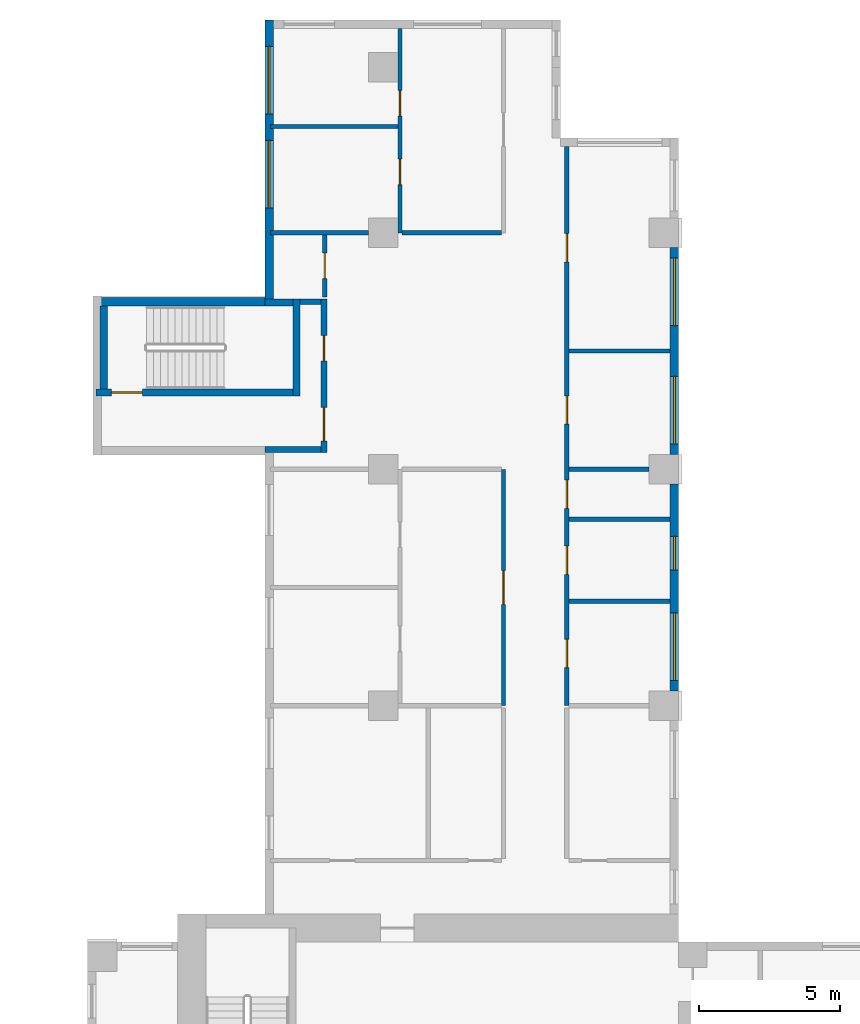
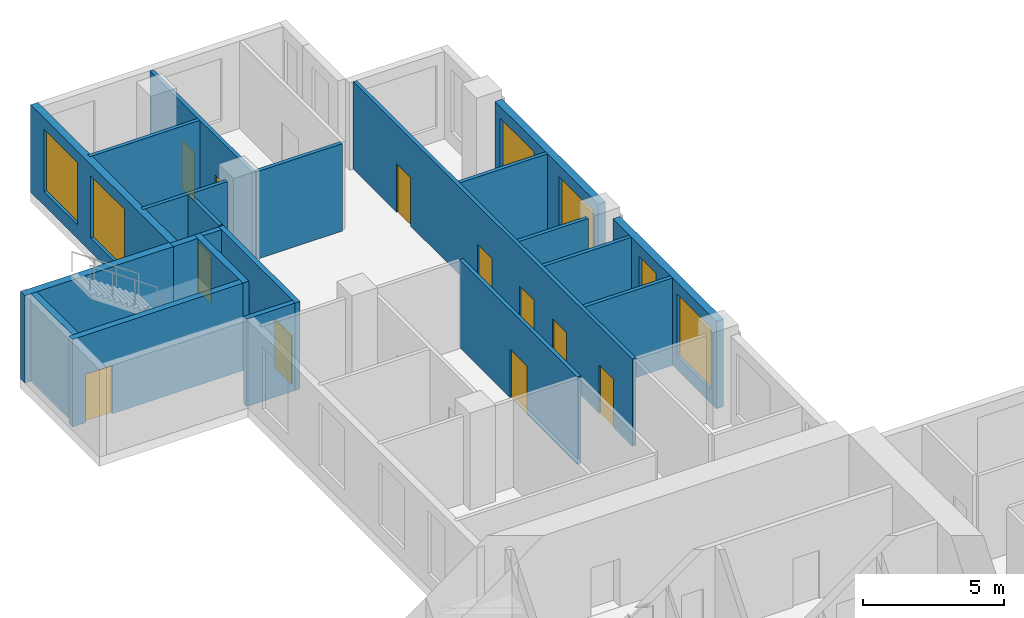
# One storey, part 6 of 13: 22 walls, 12 doors, 6 windows, 18 openings.
"""IFC4 building model written with IfcOpenShell, lengths in metres."""

import ifcopenshell
import ifcopenshell.guid

model = None  # the IFC model being written
_history = None  # IfcOwnerHistory: only IFC2X3 demands one
_inside = {}  # id of a spatial element -> (the spatial element, [elements in it])
_under = {}  # id of a project, library or spatial element -> (it, [spatial elements below it])
_declared = {}  # id of a project -> (the project, [libraries it declares])
_typed = {}  # id of a type object -> (the type object, [elements of that type])
_made_of = {}  # id of a material, layer set ... -> (it, [elements and type objects made of it])


def new_model(schema):
    """Start an empty IFC model of exactly this schema.

    Asked for "IFC4X3", IfcOpenShell would pick the latest addendum, in which some entities
    have other attributes; the version numbers below select the first issue.
    IFC2X3 requires an IfcOwnerHistory on every rooted entity: one is made here for all.
    """
    global model, _history
    if schema == "IFC4X3":
        model = ifcopenshell.file(schema_version=(4, 3, 0, 0))
    else:
        model = ifcopenshell.file(schema=schema)
    _inside.clear()
    _under.clear()
    _declared.clear()
    _typed.clear()
    _made_of.clear()
    _history = None
    if model.schema == "IFC2X3":
        org = make("IfcOrganization", Name="unknown")
        user = make(
            "IfcPersonAndOrganization",
            ThePerson=make("IfcPerson", FamilyName="unknown"),
            TheOrganization=org,
        )
        app = make(
            "IfcApplication",
            ApplicationDeveloper=org,
            Version="unknown",
            ApplicationFullName="unknown",
            ApplicationIdentifier="unknown",
        )
        _history = make(
            "IfcOwnerHistory",
            OwningUser=user,
            OwningApplication=app,
            ChangeAction="ADDED",
            CreationDate=0,
        )
    return model


def make(cls, **values):
    """One entity of the class cls with the attributes given. An attribute that is None is left unset."""
    return model.create_entity(
        cls, **{name: value for name, value in values.items() if value is not None}
    )


def rooted(cls, **values):
    """An entity with a GlobalId (a new one), such as an element, a storey or a relation."""
    return make(cls, GlobalId=ifcopenshell.guid.new(), OwnerHistory=_history, **values)


def si_unit(unit_type, name, prefix=None):
    """IfcSIUnit, for example si_unit("LENGTHUNIT", "METRE", prefix="MILLI")."""
    return make("IfcSIUnit", UnitType=unit_type, Prefix=prefix, Name=name)


def assignment(units):
    """IfcUnitAssignment: the units of a project."""
    return None if units is None else make("IfcUnitAssignment", Units=units)


def point(xyz):
    """IfcCartesianPoint."""
    return None if xyz is None else make("IfcCartesianPoint", Coordinates=xyz)


def direction(xyz):
    """IfcDirection."""
    return None if xyz is None else make("IfcDirection", DirectionRatios=xyz)


def frame(location, z_axis=None, x_axis=None):
    """IfcAxis2Placement3D, a coordinate frame: its origin and axes. An axis left out is left unset."""
    return make(
        "IfcAxis2Placement3D",
        Location=point(location),
        Axis=direction(z_axis),
        RefDirection=direction(x_axis),
    )


def frame_2d(location, x_axis=None):
    """IfcAxis2Placement2D, a coordinate frame in the plane: its origin and x axis."""
    return make(
        "IfcAxis2Placement2D", Location=point(location), RefDirection=direction(x_axis)
    )


def origin():
    """The frame at (0, 0, 0) with its axes left unset."""
    return frame((0.0, 0.0, 0.0))


def place(relative_to, where):
    """IfcLocalPlacement: puts the frame where relative to a parent placement (None: the world)."""
    return make(
        "IfcLocalPlacement", PlacementRelTo=relative_to, RelativePlacement=where
    )


def context(
    kind, dimensions, precision=None, world=None, true_north=None, identifier=None
):
    """IfcGeometricRepresentationContext, for example the 3D "Model" context."""
    return make(
        "IfcGeometricRepresentationContext",
        ContextIdentifier=identifier,
        ContextType=kind,
        CoordinateSpaceDimension=dimensions,
        Precision=precision,
        WorldCoordinateSystem=world,
        TrueNorth=true_north,
    )


def subcontext(parent, identifier, kind, view, scale=None):
    """IfcGeometricRepresentationSubContext, for example "Body" below "Model"."""
    return make(
        "IfcGeometricRepresentationSubContext",
        ContextIdentifier=identifier,
        ContextType=kind,
        ParentContext=parent,
        TargetScale=scale,
        TargetView=view,
    )


def project(units=None, contexts=None):
    """IfcProject with its units and contexts."""
    return rooted(
        "IfcProject",
        Name="project",
        RepresentationContexts=contexts,
        UnitsInContext=assignment(units),
    )


def spatial(cls, under=None, at=None, **own):
    """A site, building, storey or space (cls), placed at a placement, below another one or the project."""
    s = rooted(cls, ObjectPlacement=at, **own)
    if under is not None:
        _under.setdefault(under.id(), (under, []))[1].append(s)
    return s


def profile(cls, at=None, kind="AREA", **sizes):
    """A parametric profile (cls). Its sizes go by their IFC names, for example OverallWidth=200.0."""
    return make(cls, ProfileType=kind, Position=at, **sizes)


def rectangle(**sizes):
    """IfcRectangleProfileDef."""
    return profile("IfcRectangleProfileDef", **sizes)


def extrude(swept, where, along, depth):
    """IfcExtrudedAreaSolid: the profile swept, set in the frame where, extruded along a direction by depth."""
    return make(
        "IfcExtrudedAreaSolid",
        SweptArea=swept,
        Position=where,
        ExtrudedDirection=direction(along),
        Depth=depth,
    )


def shape(context_of_items, identifier, shape_type, items):
    """IfcShapeRepresentation: the items that make up one representation, for example the "Body"."""
    return make(
        "IfcShapeRepresentation",
        ContextOfItems=context_of_items,
        RepresentationIdentifier=identifier,
        RepresentationType=shape_type,
        Items=items,
    )


def source(mapping_origin, context_of_items, identifier, shape_type, items):
    """IfcRepresentationMap: a shape defined once, which mapped items show again and again."""
    return make(
        "IfcRepresentationMap",
        MappingOrigin=mapping_origin,
        MappedRepresentation=shape(context_of_items, identifier, shape_type, items),
    )


def transform(
    local_origin,
    x_axis=None,
    y_axis=None,
    z_axis=None,
    scale=None,
    scale2=None,
    scale3=None,
    uniform=True,
):
    """IfcCartesianTransformationOperator3D, or its non-uniform kind. x_axis, y_axis, z_axis: its Axis1, 2, 3."""
    if uniform:
        return make(
            "IfcCartesianTransformationOperator3D",
            Axis1=direction(x_axis),
            Axis2=direction(y_axis),
            LocalOrigin=point(local_origin),
            Scale=scale,
            Axis3=direction(z_axis),
        )
    return make(
        "IfcCartesianTransformationOperator3DnonUniform",
        Axis1=direction(x_axis),
        Axis2=direction(y_axis),
        LocalOrigin=point(local_origin),
        Scale=scale,
        Axis3=direction(z_axis),
        Scale2=scale2,
        Scale3=scale3,
    )


def mapped(mapping_source, mapping_target):
    """IfcMappedItem: shows the shape of a source again, moved by a transform."""
    return make(
        "IfcMappedItem", MappingSource=mapping_source, MappingTarget=mapping_target
    )


def material(Name=None, Category=None):
    """IfcMaterial."""
    return make("IfcMaterial", Name=Name, Category=Category)


def layer(
    of_material, thickness, ventilated=None, Name=None, Category=None, Priority=None
):
    """IfcMaterialLayer: one layer of a wall or slab, of a material (None: an air gap)."""
    return make(
        "IfcMaterialLayer",
        Material=of_material,
        LayerThickness=thickness,
        IsVentilated=ventilated,
        Name=Name,
        Category=Category,
        Priority=Priority,
    )


def layer_set(layers, Name=None):
    """IfcMaterialLayerSet."""
    return make("IfcMaterialLayerSet", MaterialLayers=layers, LayerSetName=Name)


def made_of(thing, what):
    """Note that an element or type object is made of a material, layer set ...; save() writes the relation."""
    if what is not None:
        _made_of.setdefault(what.id(), (what, []))[1].append(thing)
    return thing


def type_object(cls, material=None, **own):
    """A type object (cls), such as IfcWallType, which elements share."""
    return made_of(rooted(cls, **own), material)


def element(
    cls,
    number,
    at=None,
    inside=None,
    cuts=None,
    type_object=None,
    material=None,
    context=None,
    identifier="Body",
    shape_type=None,
    held_by="IfcProductDefinitionShape",
    body=None,
    shapes=None,
    **own,
):
    """One element of the class cls, such as IfcWall. Its Tag is "e" and its number.

    at: its placement. inside: the storey or other place that contains it. cuts: it is an
    opening in that element (IfcRelVoidsElement). A single representation is given by context,
    identifier, shape_type and body (its items); several are given by shapes. held_by: the class
    of the entity that holds the representations. save() writes the other relations.
    """
    e = rooted(cls, Tag="e%d" % number, ObjectPlacement=at, **own)
    if body is not None:
        shapes = [shape(context, identifier, shape_type, body)]
    if shapes is not None:
        e.Representation = make(held_by, Representations=shapes)
    if inside is not None:
        _inside.setdefault(inside.id(), (inside, []))[1].append(e)
    if cuts is not None:
        rooted(
            "IfcRelVoidsElement", RelatingBuildingElement=cuts, RelatedOpeningElement=e
        )
    if type_object is not None:
        _typed.setdefault(type_object.id(), (type_object, []))[1].append(e)
    return made_of(e, material)


def fill(opening, filler):
    """IfcRelFillsElement: the door or window that sits in an opening."""
    return rooted(
        "IfcRelFillsElement",
        RelatingOpeningElement=opening,
        RelatedBuildingElement=filler,
    )


def aggregate(whole, parts):
    """IfcRelAggregates: a whole, such as a stair, and the parts it consists of."""
    return rooted("IfcRelAggregates", RelatingObject=whole, RelatedObjects=parts)


def save(model, path):
    """Write the relations noted so far, then the file.

    IfcRelAggregates (storeys below a building ...), IfcRelContainedInSpatialStructure (elements
    in a storey), IfcRelDefinesByType, IfcRelAssociatesMaterial and IfcRelDeclares: one each for
    every whole, place, type object, material and project.
    """
    for whole, parts in _under.values():
        aggregate(whole, parts)
    for where, things in _inside.values():
        rooted(
            "IfcRelContainedInSpatialStructure",
            RelatedElements=things,
            RelatingStructure=where,
        )
    for kind, things in _typed.values():
        rooted("IfcRelDefinesByType", RelatedObjects=things, RelatingType=kind)
    for what, things in _made_of.values():
        rooted("IfcRelAssociatesMaterial", RelatedObjects=things, RelatingMaterial=what)
    for by, libraries in _declared.values():
        rooted("IfcRelDeclares", RelatingContext=by, RelatedDefinitions=libraries)
    model.write(path)


model = new_model("IFC4")

# Units and contexts
model_context = context("Model", 3, precision=1e-05, world=origin(), true_north=direction((0.0, 1.0)))
body_context = subcontext(model_context, "Body", "Model", "MODEL_VIEW")
ifc_project = project(units=[si_unit("LENGTHUNIT", "METRE"), si_unit("AREAUNIT", "SQUARE_METRE"), si_unit("VOLUMEUNIT", "CUBIC_METRE"), si_unit("PLANEANGLEUNIT", "RADIAN"), si_unit("MASSUNIT", "GRAM", prefix="KILO")], contexts=[model_context])

# Site, building, storey
site_placement = place(None, origin())
site = spatial("IfcSite", under=ifc_project, at=site_placement, CompositionType="ELEMENT")
building_placement = place(site_placement, origin())
building = spatial("IfcBuilding", under=site, at=building_placement, Name="Aurelian Terraces", CompositionType="ELEMENT")
storey_placement = place(building_placement, frame((0.0, 0.0, 158.1)))
storey = spatial("IfcBuildingStorey", under=building, at=storey_placement, Name="L35", CompositionType="ELEMENT", Elevation=158.1)

# Wall, openings, windows
ifc_material_1 = material(Name="Terracotta rainscreen cladding", Category="masonry")
ifc_layer_1 = layer(ifc_material_1, 0.3)
ifc_layer_set_1 = layer_set([ifc_layer_1], Name="EW-300")
wall_type_1 = type_object("IfcWallType", Name="EW-300", PredefinedType="STANDARD", material=ifc_layer_set_1)
shared_shape_1 = source(origin(), body_context, "Body", "SweptSolid", [
    extrude(rectangle(XDim=7.35, YDim=0.3, at=frame_2d((3.675, 0.0))), origin(), (0.0, 0.0, 1.0), 3.8),
])
wall_1_placement = place(storey_placement, frame((20.85, 29.925, 0.0), z_axis=(0.0, 0.0, 1.0), x_axis=(0.0, 1.0, 0.0)))
wall_1 = element("IfcWall", 1, at=wall_1_placement, inside=storey, type_object=wall_type_1, Name="External wall L35 F08.22", PredefinedType="STANDARD", context=body_context, shape_type="MappedRepresentation", body=[
    mapped(shared_shape_1, transform((0.0, 0.0, 0.0), scale=1.0)),
])
shared_shape_2 = source(origin(), body_context, "Body", "SweptSolid", [
    extrude(rectangle(XDim=2.4, YDim=2.7, at=frame_2d((1.2, 1.35))), frame((0.0, 0.16, 0.0), z_axis=(0.0, -1.0, 0.0), x_axis=(1.0, 0.0, 0.0)), (0.0, 0.0, 1.0), 0.32),
])
opening_1_placement = place(wall_1_placement, frame((0.375, 0.0, 0.6)))
opening_1 = element("IfcOpeningElement", 2, at=opening_1_placement, cuts=wall_1, Name="Opening W2427", PredefinedType="OPENING", context=body_context, shape_type="MappedRepresentation", body=[
    mapped(shared_shape_2, transform((0.0, 0.0, 0.0), scale=1.0)),
])
shared_shape_3 = source(origin(), body_context, "Body", "SweptSolid", [
    extrude(rectangle(XDim=1.2, YDim=2.7, at=frame_2d((0.6, 1.35))), frame((0.0, 0.16, 0.0), z_axis=(0.0, -1.0, 0.0), x_axis=(1.0, 0.0, 0.0)), (0.0, 0.0, 1.0), 0.32),
])
opening_2_placement = place(wall_1_placement, frame((4.2933, 0.0, 0.6)))
opening_2 = element("IfcOpeningElement", 3, at=opening_2_placement, cuts=wall_1, Name="Opening W1227", PredefinedType="OPENING", context=body_context, shape_type="MappedRepresentation", body=[
    mapped(shared_shape_3, transform((0.0, 0.0, 0.0), scale=1.0)),
])
ifc_material_2 = material(Name="Clear glazing", Category="glass")
window_type_1 = type_object("IfcWindowType", Name="W-2400x2700", PartitioningType="SINGLE_PANEL", PredefinedType="WINDOW", material=ifc_material_2)
shared_shape_4 = source(origin(), body_context, "Body", "SweptSolid", [
    extrude(rectangle(XDim=2.4, YDim=2.7, at=frame_2d((1.2, 1.35))), frame((0.0, 0.03, 0.0), z_axis=(0.0, -1.0, 0.0), x_axis=(1.0, 0.0, 0.0)), (0.0, 0.0, 1.0), 0.06),
])
window_1_placement = place(opening_1_placement, origin())
window_1 = element("IfcWindow", 4, at=window_1_placement, inside=storey, type_object=window_type_1, Name="Window L35 L35-F08-22-0", OverallHeight=2.7, OverallWidth=2.4, PartitioningType="SINGLE_PANEL", PredefinedType="WINDOW", context=body_context, shape_type="MappedRepresentation", body=[
    mapped(shared_shape_4, transform((0.0, 0.0, 0.0), scale=1.0)),
])
fill(opening_1, window_1)
window_type_2 = type_object("IfcWindowType", Name="W-1200x2700", PartitioningType="SINGLE_PANEL", PredefinedType="WINDOW", material=ifc_material_2)
shared_shape_5 = source(origin(), body_context, "Body", "SweptSolid", [
    extrude(rectangle(XDim=1.2, YDim=2.7, at=frame_2d((0.6, 1.35))), frame((0.0, 0.03, 0.0), z_axis=(0.0, -1.0, 0.0), x_axis=(1.0, 0.0, 0.0)), (0.0, 0.0, 1.0), 0.06),
])
window_2_placement = place(opening_2_placement, origin())
window_2 = element("IfcWindow", 5, at=window_2_placement, inside=storey, type_object=window_type_2, Name="Window L35 L35-F08-22-G0-33", OverallHeight=2.7, OverallWidth=1.2, PartitioningType="SINGLE_PANEL", PredefinedType="WINDOW", context=body_context, shape_type="MappedRepresentation", body=[
    mapped(shared_shape_5, transform((0.0, 0.0, 0.0), scale=1.0)),
])
fill(opening_2, window_2)

wall_2_placement = place(storey_placement, frame((20.85, 38.325, 0.0), z_axis=(0.0, 0.0, 1.0), x_axis=(0.0, 1.0, 0.0)))
wall_2 = element("IfcWall", 6, at=wall_2_placement, inside=storey, type_object=wall_type_1, Name="External wall L35 F08.23", PredefinedType="STANDARD", context=body_context, shape_type="MappedRepresentation", body=[
    mapped(shared_shape_1, transform((0.0, 0.0, 0.0), scale=1.0)),
])
opening_3_placement = place(wall_2_placement, frame((0.375, 0.0, 0.6)))
opening_3 = element("IfcOpeningElement", 7, at=opening_3_placement, cuts=wall_2, Name="Opening W2427", PredefinedType="OPENING", context=body_context, shape_type="MappedRepresentation", body=[
    mapped(shared_shape_2, transform((0.0, 0.0, 0.0), scale=1.0)),
])
opening_4_placement = place(wall_2_placement, frame((4.575, 0.0, 0.6)))
opening_4 = element("IfcOpeningElement", 8, at=opening_4_placement, cuts=wall_2, Name="Opening W2427", PredefinedType="OPENING", context=body_context, shape_type="MappedRepresentation", body=[
    mapped(shared_shape_2, transform((0.0, 0.0, 0.0), scale=1.0)),
])
window_3_placement = place(opening_3_placement, origin())
window_3 = element("IfcWindow", 9, at=window_3_placement, inside=storey, type_object=window_type_1, Name="Window L35 L35-F08-23-0", OverallHeight=2.7, OverallWidth=2.4, PartitioningType="SINGLE_PANEL", PredefinedType="WINDOW", context=body_context, shape_type="MappedRepresentation", body=[
    mapped(shared_shape_4, transform((0.0, 0.0, 0.0), scale=1.0)),
])
fill(opening_3, window_3)
window_4_placement = place(opening_4_placement, origin())
window_4 = element("IfcWindow", 10, at=window_4_placement, inside=storey, type_object=window_type_1, Name="Window L35 L35-F08-23-1", OverallHeight=2.7, OverallWidth=2.4, PartitioningType="SINGLE_PANEL", PredefinedType="WINDOW", context=body_context, shape_type="MappedRepresentation", body=[
    mapped(shared_shape_4, transform((0.0, 0.0, 0.0), scale=1.0)),
])
fill(opening_4, window_4)

# Wall
ifc_material_3 = material(Name="Concrete fc' 40 MPa", Category="concrete")
ifc_layer_2 = layer(ifc_material_3, 0.3)
ifc_layer_set_2 = layer_set([ifc_layer_2], Name="STAIR BAY WALL 300")
wall_type_2 = type_object("IfcWallType", Name="STAIR BAY WALL 300", PredefinedType="SOLIDWALL", material=ifc_layer_set_2)
shared_shape_6 = source(origin(), body_context, "Body", "SweptSolid", [
    extrude(rectangle(XDim=6.1, YDim=0.3, at=frame_2d((3.05, 0.0))), origin(), (0.0, 0.0, 1.0), 3.8),
])
wall_3_placement = place(storey_placement, frame((6.3, 43.75, 0.0), z_axis=(0.0, 0.0, 1.0), x_axis=(-1.0, 0.0, 0.0)))
element("IfcWall", 11, at=wall_3_placement, inside=storey, type_object=wall_type_2, Name="Stair bay wall L35 F13.30", PredefinedType="SOLIDWALL", context=body_context, shape_type="MappedRepresentation", body=[
    mapped(shared_shape_6, transform((0.0, 0.0, 0.0), scale=1.0)),
])

# Wall, openings, windows
shared_shape_7 = source(origin(), body_context, "Body", "SweptSolid", [
    extrude(rectangle(XDim=9.91, YDim=0.3, at=frame_2d((4.955, 0.0))), origin(), (0.0, 0.0, 1.0), 3.8),
])
wall_4_placement = place(storey_placement, frame((6.45, 53.76, 0.0), z_axis=(0.0, 0.0, 1.0), x_axis=(0.0, -1.0, 0.0)))
wall_4 = element("IfcWall", 12, at=wall_4_placement, inside=storey, type_object=wall_type_1, Name="External wall L35 F12.29", PredefinedType="STANDARD", context=body_context, shape_type="MappedRepresentation", body=[
    mapped(shared_shape_7, transform((0.0, 0.0, 0.0), scale=1.0)),
])
opening_5_placement = place(wall_4_placement, frame((4.2725, 0.0, 0.6)))
opening_5 = element("IfcOpeningElement", 13, at=opening_5_placement, cuts=wall_4, Name="Opening W2427", PredefinedType="OPENING", context=body_context, shape_type="MappedRepresentation", body=[
    mapped(shared_shape_2, transform((0.0, 0.0, 0.0), scale=1.0)),
])
opening_6_placement = place(wall_4_placement, frame((0.9363, 0.0, 0.6)))
opening_6 = element("IfcOpeningElement", 14, at=opening_6_placement, cuts=wall_4, Name="Opening W2427", PredefinedType="OPENING", context=body_context, shape_type="MappedRepresentation", body=[
    mapped(shared_shape_2, transform((0.0, 0.0, 0.0), scale=1.0)),
])
window_5_placement = place(opening_5_placement, origin())
window_5 = element("IfcWindow", 15, at=window_5_placement, inside=storey, type_object=window_type_1, Name="Window L35 L35-F12-29-1", OverallHeight=2.7, OverallWidth=2.4, PartitioningType="SINGLE_PANEL", PredefinedType="WINDOW", context=body_context, shape_type="MappedRepresentation", body=[
    mapped(shared_shape_4, transform((0.0, 0.0, 0.0), scale=1.0)),
])
fill(opening_5, window_5)
window_6_placement = place(opening_6_placement, origin())
window_6 = element("IfcWindow", 16, at=window_6_placement, inside=storey, type_object=window_type_1, Name="Window L35 L35-F12-29-G0-0", OverallHeight=2.7, OverallWidth=2.4, PartitioningType="SINGLE_PANEL", PredefinedType="WINDOW", context=body_context, shape_type="MappedRepresentation", body=[
    mapped(shared_shape_4, transform((0.0, 0.0, 0.0), scale=1.0)),
])
fill(opening_6, window_6)

# Wall, opening, door
ifc_layer_3 = layer(ifc_material_3, 0.25)
ifc_layer_set_3 = layer_set([ifc_layer_3], Name="Stair enclosure wall 250")
wall_type_3 = type_object("IfcWallType", Name="Stair enclosure wall 250", PredefinedType="SOLIDWALL", material=ifc_layer_set_3)
shared_shape_8 = source(origin(), body_context, "Body", "SweptSolid", [
    extrude(rectangle(XDim=7.0, YDim=0.25, at=frame_2d((3.5, 0.0))), origin(), (0.0, 0.0, 1.0), 3.8),
])
wall_5_placement = place(storey_placement, frame((0.3, 40.525, 0.0), z_axis=(0.0, 0.0, 1.0), x_axis=(1.0, 0.0, 0.0)))
wall_5 = element("IfcWall", 17, at=wall_5_placement, inside=storey, type_object=wall_type_3, Name="L35 core wall ST-S3-W", PredefinedType="SOLIDWALL", context=body_context, shape_type="MappedRepresentation", body=[
    mapped(shared_shape_8, transform((0.0, 0.0, 0.0), scale=1.0)),
])
shared_shape_9 = source(origin(), body_context, "Body", "SweptSolid", [
    extrude(rectangle(XDim=1.1, YDim=2.1, at=frame_2d((0.55, 1.05))), frame((0.0, 0.135, 0.0), z_axis=(0.0, -1.0, 0.0), x_axis=(1.0, 0.0, 0.0)), (0.0, 0.0, 1.0), 0.27),
])
opening_7_placement = place(wall_5_placement, frame((0.55, 0.0, 0.0)))
opening_7 = element("IfcOpeningElement", 18, at=opening_7_placement, cuts=wall_5, Name="Opening 63817", PredefinedType="OPENING", context=body_context, shape_type="MappedRepresentation", body=[
    mapped(shared_shape_9, transform((0.0, 0.0, 0.0), scale=1.0)),
])
ifc_material_4 = material(Name="Steel door leaf", Category="steel")
door_type_1 = type_object("IfcDoorType", Name="Core fire door 1100x2100 right", OperationType="SINGLE_SWING_RIGHT", PredefinedType="DOOR", material=ifc_material_4)
shared_shape_10 = source(origin(), body_context, "Body", "SweptSolid", [
    extrude(rectangle(XDim=1.1, YDim=2.1, at=frame_2d((0.55, 1.05))), frame((0.0, 0.025, 0.0), z_axis=(0.0, -1.0, 0.0), x_axis=(1.0, 0.0, 0.0)), (0.0, 0.0, 1.0), 0.05),
])
door_1_placement = place(opening_7_placement, origin())
door_1 = element("IfcDoor", 19, at=door_1_placement, inside=storey, type_object=door_type_1, Name="Stair door 63817", OperationType="SINGLE_SWING_RIGHT", OverallHeight=2.1, OverallWidth=1.1, PredefinedType="DOOR", context=body_context, shape_type="MappedRepresentation", body=[
    mapped(shared_shape_10, transform((0.0, 0.0, 0.0), scale=1.0)),
])
fill(opening_7, door_1)

# Walls
shared_shape_11 = source(origin(), body_context, "Body", "SweptSolid", [
    extrude(rectangle(XDim=3.45, YDim=0.25, at=frame_2d((1.725, 0.0))), origin(), (0.0, 0.0, 1.0), 3.8),
])
wall_6_placement = place(storey_placement, frame((7.425, 40.4, 0.0), z_axis=(0.0, 0.0, 1.0), x_axis=(0.0, 1.0, 0.0)))
element("IfcWall", 20, at=wall_6_placement, inside=storey, type_object=wall_type_3, Name="L35 core wall ST-S3-N", PredefinedType="SOLIDWALL", context=body_context, shape_type="MappedRepresentation", body=[
    mapped(shared_shape_11, transform((0.0, 0.0, 0.0), scale=1.0)),
])
shared_shape_12 = source(origin(), body_context, "Body", "SweptSolid", [
    extrude(rectangle(XDim=2.95, YDim=0.25, at=frame_2d((1.475, 0.0))), origin(), (0.0, 0.0, 1.0), 3.8),
])
wall_7_placement = place(storey_placement, frame((0.575, 40.65, 0.0), z_axis=(0.0, 0.0, 1.0), x_axis=(0.0, 1.0, 0.0)))
element("IfcWall", 21, at=wall_7_placement, inside=storey, type_object=wall_type_3, Name="L35 core wall ST-S3-SS", PredefinedType="SOLIDWALL", context=body_context, shape_type="MappedRepresentation", body=[
    mapped(shared_shape_12, transform((0.0, 0.0, 0.0), scale=1.0)),
])

# Wall, openings, doors
ifc_material_5 = material(Name="Gypsum board on steel studs", Category="steel")
ifc_layer_4 = layer(ifc_material_5, 0.2)
ifc_layer_set_4 = layer_set([ifc_layer_4], Name="Core partition 200")
wall_type_4 = type_object("IfcWallType", Name="Core partition 200", PredefinedType="PARTITIONING", material=ifc_layer_set_4)
shared_shape_13 = source(origin(), body_context, "Body", "SweptSolid", [
    extrude(rectangle(XDim=5.45, YDim=0.2, at=frame_2d((2.725, 0.0))), origin(), (0.0, 0.0, 1.0), 3.8),
])
wall_8_placement = place(storey_placement, frame((8.4, 38.4, 0.0), z_axis=(0.0, 0.0, 1.0), x_axis=(0.0, 1.0, 0.0)))
wall_8 = element("IfcWall", 22, at=wall_8_placement, inside=storey, type_object=wall_type_4, Name="L35 core wall ST-S3-BN", PredefinedType="PARTITIONING", context=body_context, shape_type="MappedRepresentation", body=[
    mapped(shared_shape_13, transform((0.0, 0.0, 0.0), scale=1.0)),
])
shared_shape_14 = source(origin(), body_context, "Body", "SweptSolid", [
    extrude(rectangle(XDim=1.2, YDim=2.1, at=frame_2d((0.6, 1.05))), frame((0.0, 0.11, 0.0), z_axis=(0.0, -1.0, 0.0), x_axis=(1.0, 0.0, 0.0)), (0.0, 0.0, 1.0), 0.22),
])
opening_8_placement = place(wall_8_placement, frame((0.4, 0.0, 0.0)))
opening_8 = element("IfcOpeningElement", 23, at=opening_8_placement, cuts=wall_8, Name="Opening 63818", PredefinedType="OPENING", context=body_context, shape_type="MappedRepresentation", body=[
    mapped(shared_shape_14, transform((0.0, 0.0, 0.0), scale=1.0)),
])
shared_shape_15 = source(origin(), body_context, "Body", "SweptSolid", [
    extrude(rectangle(XDim=0.9, YDim=2.1, at=frame_2d((0.45, 1.05))), frame((0.0, 0.11, 0.0), z_axis=(0.0, -1.0, 0.0), x_axis=(1.0, 0.0, 0.0)), (0.0, 0.0, 1.0), 0.22),
])
opening_9_placement = place(wall_8_placement, frame((3.25, 0.0, 0.0)))
opening_9 = element("IfcOpeningElement", 24, at=opening_9_placement, cuts=wall_8, Name="Opening 63819", PredefinedType="OPENING", context=body_context, shape_type="MappedRepresentation", body=[
    mapped(shared_shape_15, transform((0.0, 0.0, 0.0), scale=1.0)),
])
door_type_2 = type_object("IfcDoorType", Name="Core riser door 900x2100 right", OperationType="SINGLE_SWING_RIGHT", PredefinedType="DOOR", material=ifc_material_4)
shared_shape_16 = source(origin(), body_context, "Body", "SweptSolid", [
    extrude(rectangle(XDim=0.9, YDim=2.1, at=frame_2d((0.45, 1.05))), frame((0.0, 0.025, 0.0), z_axis=(0.0, -1.0, 0.0), x_axis=(1.0, 0.0, 0.0)), (0.0, 0.0, 1.0), 0.05),
])
door_2_placement = place(opening_9_placement, origin())
door_2 = element("IfcDoor", 25, at=door_2_placement, inside=storey, type_object=door_type_2, Name="Riser door 63819", OperationType="SINGLE_SWING_RIGHT", OverallHeight=2.1, OverallWidth=0.9, PredefinedType="DOOR", context=body_context, shape_type="MappedRepresentation", body=[
    mapped(shared_shape_16, transform((0.0, 0.0, 0.0), scale=1.0)),
])
fill(opening_9, door_2)
door_type_3 = type_object("IfcDoorType", Name="Core fire door 1200x2100", OperationType="SINGLE_SWING_LEFT", PredefinedType="DOOR", material=ifc_material_4)
shared_shape_17 = source(origin(), body_context, "Body", "SweptSolid", [
    extrude(rectangle(XDim=1.2, YDim=2.1, at=frame_2d((0.6, 1.05))), frame((0.0, 0.025, 0.0), z_axis=(0.0, -1.0, 0.0), x_axis=(1.0, 0.0, 0.0)), (0.0, 0.0, 1.0), 0.05),
])
door_3_placement = place(opening_8_placement, origin())
door_3 = element("IfcDoor", 26, at=door_3_placement, inside=storey, type_object=door_type_3, Name="Vestibule door 63818", OperationType="SINGLE_SWING_LEFT", OverallHeight=2.1, OverallWidth=1.2, PredefinedType="DOOR", context=body_context, shape_type="MappedRepresentation", body=[
    mapped(shared_shape_17, transform((0.0, 0.0, 0.0), scale=1.0)),
])
fill(opening_8, door_3)

# Walls
shared_shape_18 = source(origin(), body_context, "Body", "SweptSolid", [
    extrude(rectangle(XDim=0.75, YDim=0.2, at=frame_2d((0.375, 0.0))), origin(), (0.0, 0.0, 1.0), 3.8),
])
wall_9_placement = place(storey_placement, frame((7.55, 43.75, 0.0), z_axis=(0.0, 0.0, 1.0), x_axis=(1.0, 0.0, 0.0)))
element("IfcWall", 27, at=wall_9_placement, inside=storey, type_object=wall_type_4, Name="L35 core wall ST-S3-RE", PredefinedType="PARTITIONING", context=body_context, shape_type="MappedRepresentation", body=[
    mapped(shared_shape_18, transform((0.0, 0.0, 0.0), scale=1.0)),
])
shared_shape_19 = source(origin(), body_context, "Body", "SweptSolid", [
    extrude(rectangle(XDim=1.0, YDim=0.25, at=frame_2d((0.5, 0.0))), origin(), (0.0, 0.0, 1.0), 3.8),
])
wall_10_placement = place(storey_placement, frame((6.3, 43.725, 0.0), z_axis=(0.0, 0.0, 1.0), x_axis=(1.0, 0.0, 0.0)))
element("IfcWall", 28, at=wall_10_placement, inside=storey, type_object=wall_type_3, Name="L35 core wall ST-S3-E", PredefinedType="SOLIDWALL", context=body_context, shape_type="MappedRepresentation", body=[
    mapped(shared_shape_19, transform((0.0, 0.0, 0.0), scale=1.0)),
])
shared_shape_20 = source(origin(), body_context, "Body", "SweptSolid", [
    extrude(rectangle(XDim=2.0, YDim=0.2, at=frame_2d((1.0, 0.0))), origin(), (0.0, 0.0, 1.0), 3.8),
])
wall_11_placement = place(storey_placement, frame((6.3, 38.5, 0.0), z_axis=(0.0, 0.0, 1.0), x_axis=(1.0, 0.0, 0.0)))
element("IfcWall", 29, at=wall_11_placement, inside=storey, type_object=wall_type_4, Name="L35 core wall ST-S3-VW", PredefinedType="PARTITIONING", context=body_context, shape_type="MappedRepresentation", body=[
    mapped(shared_shape_20, transform((0.0, 0.0, 0.0), scale=1.0)),
])
ifc_layer_5 = layer(ifc_material_5, 0.15)
ifc_layer_set_5 = layer_set([ifc_layer_5], Name="Partition 150")
wall_type_5 = type_object("IfcWallType", Name="Partition 150", PredefinedType="PARTITIONING", material=ifc_layer_set_5)
shared_shape_21 = source(origin(), body_context, "Body", "SweptSolid", [
    extrude(rectangle(XDim=3.6, YDim=0.15, at=frame_2d((1.8, 0.0))), origin(), (0.0, 0.0, 1.0), 3.8),
])
for number, where, z_axis, x_axis, name in (
    (30, (17.1, 33.1133, 0.0), (0.0, 0.0, 1.0), (1.0, 0.0, 0.0), "Partition"),
    (31, (17.1, 36.024, 0.0), (0.0, 0.0, 1.0), (1.0, 0.0, 0.0), "Partition"),
    (32, (20.7, 42.0, 0.0), (0.0, 0.0, 1.0), (-1.0, 0.0, 0.0), "Partition"),
):
    element("IfcWall", number, at=place(storey_placement, frame(where, z_axis=z_axis, x_axis=x_axis)), inside=storey, type_object=wall_type_5, Name=name, PredefinedType="PARTITIONING", context=body_context, shape_type="MappedRepresentation", body=[
        mapped(shared_shape_21, transform((0.0, 0.0, 0.0), scale=1.0)),
    ])

# Wall, opening, door
ifc_layer_6 = layer(ifc_material_5, 0.15)
ifc_layer_set_6 = layer_set([ifc_layer_6], Name="Fire partition 150")
wall_type_6 = type_object("IfcWallType", Name="Fire partition 150", PredefinedType="PARTITIONING", material=ifc_layer_set_6)
shared_shape_22 = source(origin(), body_context, "Body", "SweptSolid", [
    extrude(rectangle(XDim=8.4, YDim=0.15, at=frame_2d((4.2, 0.0))), origin(), (0.0, 0.0, 1.0), 3.8),
])
wall_12_placement = place(storey_placement, frame((14.775, 29.4, 0.0), z_axis=(0.0, 0.0, 1.0), x_axis=(0.0, 1.0, 0.0)))
wall_12 = element("IfcWall", 33, at=wall_12_placement, inside=storey, type_object=wall_type_6, Name="Corridor wall", PredefinedType="PARTITIONING", context=body_context, shape_type="MappedRepresentation", body=[
    mapped(shared_shape_22, transform((0.0, 0.0, 0.0), scale=1.0)),
])
shared_shape_23 = source(origin(), body_context, "Body", "SweptSolid", [
    extrude(rectangle(XDim=1.2, YDim=2.1, at=frame_2d((0.6, 1.05))), frame((0.0, 0.085, 0.0), z_axis=(0.0, -1.0, 0.0), x_axis=(1.0, 0.0, 0.0)), (0.0, 0.0, 1.0), 0.17),
])
opening_10_placement = place(wall_12_placement, frame((3.6, 0.0, 0.0)))
opening_10 = element("IfcOpeningElement", 34, at=opening_10_placement, cuts=wall_12, Name="Opening 735034", PredefinedType="OPENING", context=body_context, shape_type="MappedRepresentation", body=[
    mapped(shared_shape_23, transform((0.0, 0.0, 0.0), scale=1.0)),
])
ifc_material_6 = material(Name="Timber door leaf", Category="wood")
door_type_4 = type_object("IfcDoorType", Name="Room door 1200x2100 left", OperationType="SINGLE_SWING_LEFT", PredefinedType="DOOR", material=ifc_material_6)
door_4_placement = place(opening_10_placement, origin())
door_4 = element("IfcDoor", 35, at=door_4_placement, inside=storey, type_object=door_type_4, Name="Door 735034", OperationType="SINGLE_SWING_LEFT", OverallHeight=2.1, OverallWidth=1.2, PredefinedType="DOOR", context=body_context, shape_type="MappedRepresentation", body=[
    mapped(shared_shape_17, transform((0.0, 0.0, 0.0), scale=1.0)),
])
fill(opening_10, door_4)

shared_shape_24 = source(origin(), body_context, "Body", "SweptSolid", [
    extrude(rectangle(XDim=2.2, YDim=0.15, at=frame_2d((1.1, 0.0))), origin(), (0.0, 0.0, 1.0), 3.8),
])
wall_13_placement = place(storey_placement, frame((8.425, 43.925, 0.0), z_axis=(0.0, 0.0, 1.0), x_axis=(0.0, 1.0, 0.0)))
wall_13 = element("IfcWall", 36, at=wall_13_placement, inside=storey, type_object=wall_type_5, Name="Partition", PredefinedType="PARTITIONING", context=body_context, shape_type="MappedRepresentation", body=[
    mapped(shared_shape_24, transform((0.0, 0.0, 0.0), scale=1.0)),
])
shared_shape_25 = source(origin(), body_context, "Body", "SweptSolid", [
    extrude(rectangle(XDim=0.9, YDim=2.1, at=frame_2d((0.45, 1.05))), frame((0.0, 0.085, 0.0), z_axis=(0.0, -1.0, 0.0), x_axis=(1.0, 0.0, 0.0)), (0.0, 0.0, 1.0), 0.17),
])
opening_11_placement = place(wall_13_placement, frame((0.65, 0.0, 0.0)))
opening_11 = element("IfcOpeningElement", 37, at=opening_11_placement, cuts=wall_13, Name="Opening 735033", PredefinedType="OPENING", context=body_context, shape_type="MappedRepresentation", body=[
    mapped(shared_shape_25, transform((0.0, 0.0, 0.0), scale=1.0)),
])
door_type_5 = type_object("IfcDoorType", Name="Room door 900x2100 right", OperationType="SINGLE_SWING_RIGHT", PredefinedType="DOOR", material=ifc_material_6)
door_5_placement = place(opening_11_placement, origin())
door_5 = element("IfcDoor", 38, at=door_5_placement, inside=storey, type_object=door_type_5, Name="Door 735033", OperationType="SINGLE_SWING_RIGHT", OverallHeight=2.1, OverallWidth=0.9, PredefinedType="DOOR", context=body_context, shape_type="MappedRepresentation", body=[
    mapped(shared_shape_16, transform((0.0, 0.0, 0.0), scale=1.0)),
])
fill(opening_11, door_5)

# Wall, openings, doors
shared_shape_26 = source(origin(), body_context, "Body", "SweptSolid", [
    extrude(rectangle(XDim=7.26, YDim=0.15, at=frame_2d((3.63, 0.0))), origin(), (0.0, 0.0, 1.0), 3.8),
])
wall_14_placement = place(storey_placement, frame((11.1, 46.2, 0.0), z_axis=(0.0, 0.0, 1.0), x_axis=(0.0, 1.0, 0.0)))
wall_14 = element("IfcWall", 39, at=wall_14_placement, inside=storey, type_object=wall_type_5, Name="Partition", PredefinedType="PARTITIONING", context=body_context, shape_type="MappedRepresentation", body=[
    mapped(shared_shape_26, transform((0.0, 0.0, 0.0), scale=1.0)),
])
opening_12_placement = place(wall_14_placement, frame((1.715, 0.0, 0.0)))
opening_12 = element("IfcOpeningElement", 40, at=opening_12_placement, cuts=wall_14, Name="Opening 735038", PredefinedType="OPENING", context=body_context, shape_type="MappedRepresentation", body=[
    mapped(shared_shape_25, transform((0.0, 0.0, 0.0), scale=1.0)),
])
opening_13_placement = place(wall_14_placement, frame((4.155, 0.0, 0.0)))
opening_13 = element("IfcOpeningElement", 41, at=opening_13_placement, cuts=wall_14, Name="Opening 735039", PredefinedType="OPENING", context=body_context, shape_type="MappedRepresentation", body=[
    mapped(shared_shape_25, transform((0.0, 0.0, 0.0), scale=1.0)),
])
door_6_placement = place(opening_12_placement, origin())
door_6 = element("IfcDoor", 42, at=door_6_placement, inside=storey, type_object=door_type_5, Name="Door 735038", OperationType="SINGLE_SWING_RIGHT", OverallHeight=2.1, OverallWidth=0.9, PredefinedType="DOOR", context=body_context, shape_type="MappedRepresentation", body=[
    mapped(shared_shape_16, transform((0.0, 0.0, 0.0), scale=1.0)),
])
fill(opening_12, door_6)
door_type_6 = type_object("IfcDoorType", Name="Room door 900x2100 left", OperationType="SINGLE_SWING_LEFT", PredefinedType="DOOR", material=ifc_material_6)
door_7_placement = place(opening_13_placement, origin())
door_7 = element("IfcDoor", 43, at=door_7_placement, inside=storey, type_object=door_type_6, Name="Door 735039", OperationType="SINGLE_SWING_LEFT", OverallHeight=2.1, OverallWidth=0.9, PredefinedType="DOOR", context=body_context, shape_type="MappedRepresentation", body=[
    mapped(shared_shape_16, transform((0.0, 0.0, 0.0), scale=1.0)),
])
fill(opening_13, door_7)

# Walls
shared_shape_27 = source(origin(), body_context, "Body", "SweptSolid", [
    extrude(rectangle(XDim=2.851, YDim=0.15, at=frame_2d((1.4255, 0.0))), origin(), (0.0, 0.0, 1.0), 3.8),
])
wall_15_placement = place(storey_placement, frame((19.951, 37.8, 0.0), z_axis=(0.0, 0.0, 1.0), x_axis=(-1.0, 0.0, 0.0)))
element("IfcWall", 44, at=wall_15_placement, inside=storey, type_object=wall_type_5, Name="Partition", PredefinedType="PARTITIONING", context=body_context, shape_type="MappedRepresentation", body=[
    mapped(shared_shape_27, transform((0.0, 0.0, 0.0), scale=1.0)),
])
shared_shape_28 = source(origin(), body_context, "Body", "SweptSolid", [
    extrude(rectangle(XDim=3.471, YDim=0.15, at=frame_2d((1.7355, 0.0))), origin(), (0.0, 0.0, 1.0), 3.8),
])
wall_16_placement = place(storey_placement, frame((9.976, 46.2, 0.0), z_axis=(0.0, 0.0, 1.0), x_axis=(-1.0, 0.0, 0.0)))
element("IfcWall", 45, at=wall_16_placement, inside=storey, type_object=wall_type_5, Name="Partition", PredefinedType="PARTITIONING", context=body_context, shape_type="MappedRepresentation", body=[
    mapped(shared_shape_28, transform((0.0, 0.0, 0.0), scale=1.0)),
])
shared_shape_29 = source(origin(), body_context, "Body", "SweptSolid", [
    extrude(rectangle(XDim=3.525, YDim=0.15, at=frame_2d((1.7625, 0.0))), origin(), (0.0, 0.0, 1.0), 3.8),
])
wall_17_placement = place(storey_placement, frame((14.7, 46.2, 0.0), z_axis=(0.0, 0.0, 1.0), x_axis=(-1.0, 0.0, 0.0)))
element("IfcWall", 46, at=wall_17_placement, inside=storey, type_object=wall_type_5, Name="Partition", PredefinedType="PARTITIONING", context=body_context, shape_type="MappedRepresentation", body=[
    mapped(shared_shape_29, transform((0.0, 0.0, 0.0), scale=1.0)),
])
shared_shape_30 = source(origin(), body_context, "Body", "SweptSolid", [
    extrude(rectangle(XDim=4.52, YDim=0.15, at=frame_2d((2.26, 0.0))), origin(), (0.0, 0.0, 1.0), 3.8),
])
wall_18_placement = place(storey_placement, frame((11.025, 49.98, 0.0), z_axis=(0.0, 0.0, 1.0), x_axis=(-1.0, 0.0, 0.0)))
element("IfcWall", 47, at=wall_18_placement, inside=storey, type_object=wall_type_5, Name="Partition", PredefinedType="PARTITIONING", context=body_context, shape_type="MappedRepresentation", body=[
    mapped(shared_shape_30, transform((0.0, 0.0, 0.0), scale=1.0)),
])

# Wall, openings, doors
shared_shape_31 = source(origin(), body_context, "Body", "SweptSolid", [
    extrude(rectangle(XDim=19.86, YDim=0.15, at=frame_2d((9.93, 0.0))), origin(), (0.0, 0.0, 1.0), 3.8),
])
wall_19_placement = place(storey_placement, frame((17.025, 49.26, 0.0), z_axis=(0.0, 0.0, 1.0), x_axis=(0.0, -1.0, 0.0)))
wall_19 = element("IfcWall", 48, at=wall_19_placement, inside=storey, type_object=wall_type_6, Name="Corridor wall", PredefinedType="PARTITIONING", context=body_context, shape_type="MappedRepresentation", body=[
    mapped(shared_shape_31, transform((0.0, 0.0, 0.0), scale=1.0)),
])
shared_shape_32 = source(origin(), body_context, "Body", "SweptSolid", [
    extrude(rectangle(XDim=1.0, YDim=2.1, at=frame_2d((0.5, 1.05))), frame((0.0, 0.085, 0.0), z_axis=(0.0, -1.0, 0.0), x_axis=(1.0, 0.0, 0.0)), (0.0, 0.0, 1.0), 0.17),
])
opening_14_placement = place(wall_19_placement, frame((17.5033, 0.0, 0.0)))
opening_14 = element("IfcOpeningElement", 49, at=opening_14_placement, cuts=wall_19, Name="Opening 735040", PredefinedType="OPENING", context=body_context, shape_type="MappedRepresentation", body=[
    mapped(shared_shape_32, transform((0.0, 0.0, 0.0), scale=1.0)),
])
opening_15_placement = place(wall_19_placement, frame((14.1914, 0.0, 0.0)))
opening_15 = element("IfcOpeningElement", 50, at=opening_15_placement, cuts=wall_19, Name="Opening 735041", PredefinedType="OPENING", context=body_context, shape_type="MappedRepresentation", body=[
    mapped(shared_shape_32, transform((0.0, 0.0, 0.0), scale=1.0)),
])
opening_16_placement = place(wall_19_placement, frame((11.848, 0.0, 0.0)))
opening_16 = element("IfcOpeningElement", 51, at=opening_16_placement, cuts=wall_19, Name="Opening 735042", PredefinedType="OPENING", context=body_context, shape_type="MappedRepresentation", body=[
    mapped(shared_shape_32, transform((0.0, 0.0, 0.0), scale=1.0)),
])
opening_17_placement = place(wall_19_placement, frame((8.86, 0.0, 0.0)))
opening_17 = element("IfcOpeningElement", 52, at=opening_17_placement, cuts=wall_19, Name="Opening 735043", PredefinedType="OPENING", context=body_context, shape_type="MappedRepresentation", body=[
    mapped(shared_shape_32, transform((0.0, 0.0, 0.0), scale=1.0)),
])
opening_18_placement = place(wall_19_placement, frame((3.0925, 0.0, 0.0)))
opening_18 = element("IfcOpeningElement", 53, at=opening_18_placement, cuts=wall_19, Name="Opening 735044", PredefinedType="OPENING", context=body_context, shape_type="MappedRepresentation", body=[
    mapped(shared_shape_32, transform((0.0, 0.0, 0.0), scale=1.0)),
])
door_type_7 = type_object("IfcDoorType", Name="Room door 1000x2100 left", OperationType="SINGLE_SWING_LEFT", PredefinedType="DOOR", material=ifc_material_6)
shared_shape_33 = source(origin(), body_context, "Body", "SweptSolid", [
    extrude(rectangle(XDim=1.0, YDim=2.1, at=frame_2d((0.5, 1.05))), frame((0.0, 0.025, 0.0), z_axis=(0.0, -1.0, 0.0), x_axis=(1.0, 0.0, 0.0)), (0.0, 0.0, 1.0), 0.05),
])
door_8_placement = place(opening_14_placement, origin())
door_8 = element("IfcDoor", 54, at=door_8_placement, inside=storey, type_object=door_type_7, Name="Door 735040", OperationType="SINGLE_SWING_LEFT", OverallHeight=2.1, OverallWidth=1.0, PredefinedType="DOOR", context=body_context, shape_type="MappedRepresentation", body=[
    mapped(shared_shape_33, transform((0.0, 0.0, 0.0), scale=1.0)),
])
fill(opening_14, door_8)
door_type_8 = type_object("IfcDoorType", Name="Room door 1000x2100 right", OperationType="SINGLE_SWING_RIGHT", PredefinedType="DOOR", material=ifc_material_6)
door_9_placement = place(opening_15_placement, origin())
door_9 = element("IfcDoor", 55, at=door_9_placement, inside=storey, type_object=door_type_8, Name="Door 735041", OperationType="SINGLE_SWING_RIGHT", OverallHeight=2.1, OverallWidth=1.0, PredefinedType="DOOR", context=body_context, shape_type="MappedRepresentation", body=[
    mapped(shared_shape_33, transform((0.0, 0.0, 0.0), scale=1.0)),
])
fill(opening_15, door_9)
door_10_placement = place(opening_16_placement, origin())
door_10 = element("IfcDoor", 56, at=door_10_placement, inside=storey, type_object=door_type_7, Name="Door 735042", OperationType="SINGLE_SWING_LEFT", OverallHeight=2.1, OverallWidth=1.0, PredefinedType="DOOR", context=body_context, shape_type="MappedRepresentation", body=[
    mapped(shared_shape_33, transform((0.0, 0.0, 0.0), scale=1.0)),
])
fill(opening_16, door_10)
door_11_placement = place(opening_17_placement, origin())
door_11 = element("IfcDoor", 57, at=door_11_placement, inside=storey, type_object=door_type_7, Name="Door 735043", OperationType="SINGLE_SWING_LEFT", OverallHeight=2.1, OverallWidth=1.0, PredefinedType="DOOR", context=body_context, shape_type="MappedRepresentation", body=[
    mapped(shared_shape_33, transform((0.0, 0.0, 0.0), scale=1.0)),
])
fill(opening_17, door_11)
door_12_placement = place(opening_18_placement, origin())
door_12 = element("IfcDoor", 58, at=door_12_placement, inside=storey, type_object=door_type_7, Name="Door 735044", OperationType="SINGLE_SWING_LEFT", OverallHeight=2.1, OverallWidth=1.0, PredefinedType="DOOR", context=body_context, shape_type="MappedRepresentation", body=[
    mapped(shared_shape_33, transform((0.0, 0.0, 0.0), scale=1.0)),
])
fill(opening_18, door_12)

save(model, "model.ifc")
